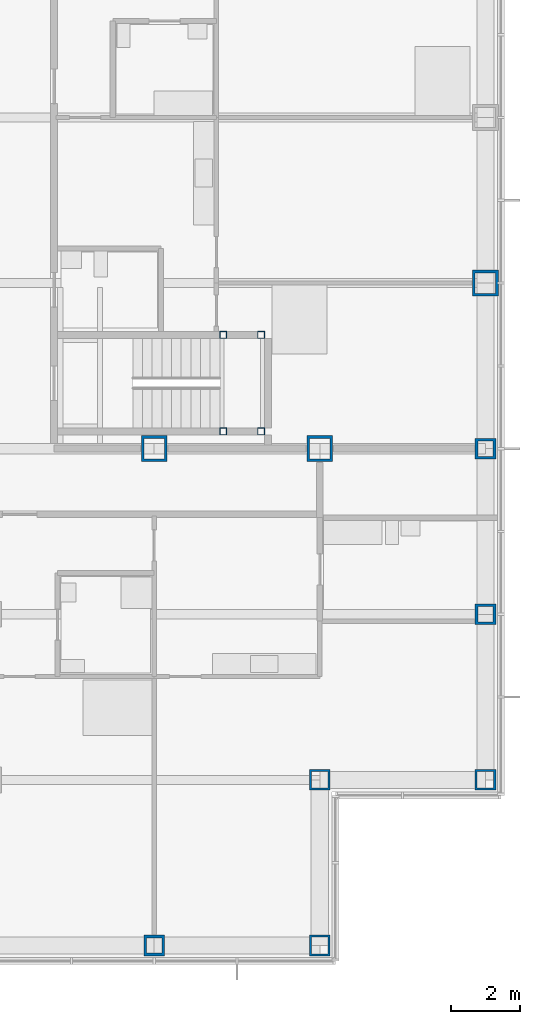
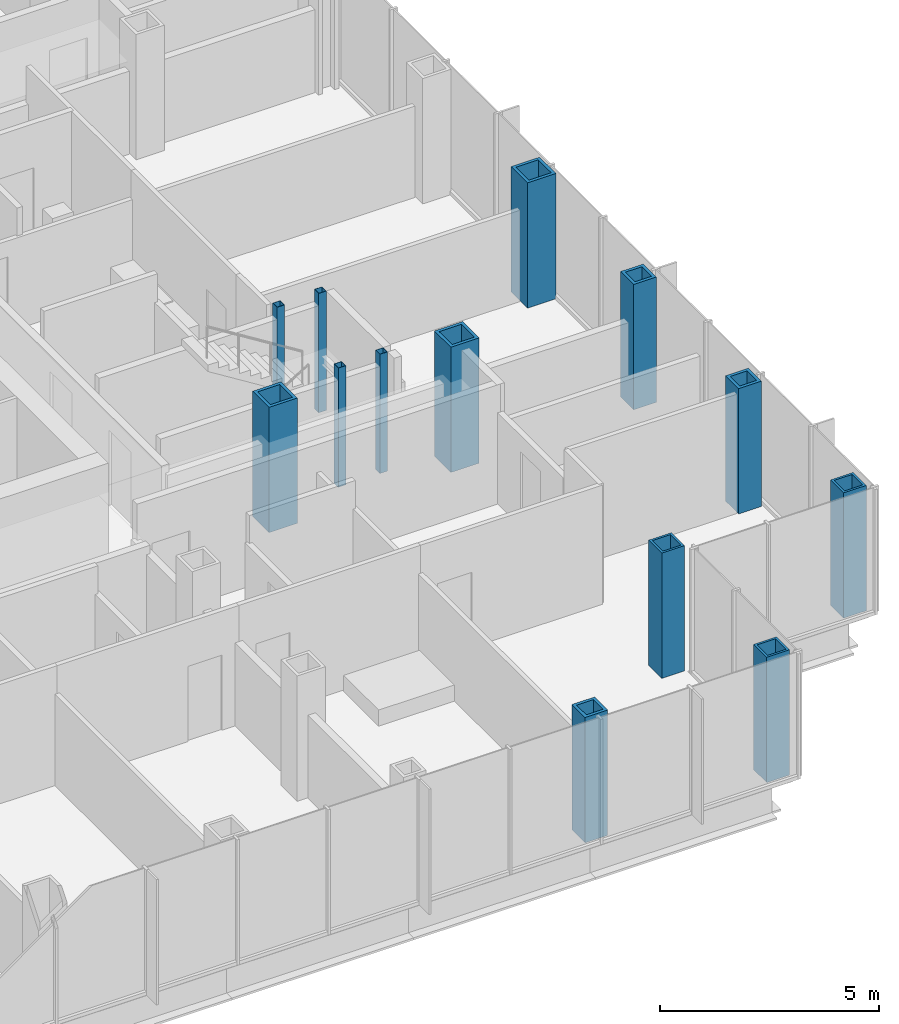
# One storey, part 4 of 21: 13 columns.
"""IFC4 building model written with IfcOpenShell, lengths in metres."""

from ifc_helpers import new_model, si_unit, direction, frame, origin, origin_2d, place, context, subcontext, project, spatial, hollow_rectangle, extrude, material, material_profile, profile_set, type_object, element, save


model = new_model("IFC4")

# Units and contexts
model_context = context("Model", 3, precision=1e-05, world=origin(), true_north=direction((0.0, 1.0)))
body_context = subcontext(model_context, "Body", "Model", "MODEL_VIEW")
ifc_project = project(units=[si_unit("LENGTHUNIT", "METRE"), si_unit("AREAUNIT", "SQUARE_METRE"), si_unit("VOLUMEUNIT", "CUBIC_METRE"), si_unit("PLANEANGLEUNIT", "RADIAN"), si_unit("MASSUNIT", "GRAM", prefix="KILO")], contexts=[model_context])

# Site, building, storey
site_placement = place(None, origin())
site = spatial("IfcSite", under=ifc_project, at=site_placement, CompositionType="ELEMENT")
building_placement = place(site_placement, origin())
building = spatial("IfcBuilding", under=site, at=building_placement, Name="Kvirike Care Tower", CompositionType="ELEMENT")
storey_placement = place(building_placement, frame((0.0, 0.0, 58.5)))
storey = spatial("IfcBuildingStorey", under=building, at=storey_placement, Name="L15", CompositionType="ELEMENT", Elevation=58.5)

# Columns
ifc_material_1 = material(Name="Steel S460", Category="steel")
ifc_material_profile_1 = material_profile(ifc_material_1, hollow_rectangle(XDim=0.60009765625, YDim=0.60009765625, WallThickness=0.06005859375, at=origin_2d()), Name="BX 600x600x60")
ifc_profile_set_1 = profile_set([ifc_material_profile_1], Name="Steel S460")
column_type_1 = type_object("IfcColumnType", Name="COLUMN BX 600x600x60", PredefinedType="COLUMN", material=ifc_profile_set_1)
for number, where, z_axis, x_axis, name in (
    (1, (38.39990234375, 14.39990234375, 0.0), (0.0, 0.0, 1.0), (0.0, 1.0, 0.0), "Column D11 L15"),
    (2, (38.39990234375, 19.199951171875, 0.0), (0.0, 0.0, 1.0), (0.0, 1.0, 0.0), "Column E11 L15"),
    (3, (43.199951171875, 19.199951171875, 0.0), (0.0, 0.0, 1.0), (0.0, 1.0, 0.0), "Column E12 L15"),
):
    element("IfcColumn", number, at=place(storey_placement, frame(where, z_axis=z_axis, x_axis=x_axis)), inside=storey, type_object=column_type_1, Name=name, PredefinedType="COLUMN", context=body_context, shape_type="SweptSolid", body=[
        extrude(hollow_rectangle(XDim=0.60009765625, YDim=0.60009765625, WallThickness=0.06005859375, at=origin_2d()), origin(), (0.0, 0.0, 1.0), 3.5),
    ])
ifc_material_2 = material(Name="Steel S460", Category="steel")
ifc_material_profile_2 = material_profile(ifc_material_2, hollow_rectangle(XDim=0.60009765625, YDim=0.60009765625, WallThickness=0.080078125, at=origin_2d()), Name="BX 600x600x80")
ifc_profile_set_2 = profile_set([ifc_material_profile_2], Name="Steel S460")
column_type_2 = type_object("IfcColumnType", Name="COLUMN BX 600x600x80", PredefinedType="COLUMN", material=ifc_profile_set_2)
for number, where, z_axis, x_axis, name in (
    (4, (33.60009765625, 14.39990234375, 0.0), (0.0, 0.0, 1.0), (0.0, 1.0, 0.0), "Column D10 L15"),
    (5, (43.199951171875, 24.0, 0.0), (0.0, 0.0, 1.0), (1.0, 0.0, 0.0), "Column F12 L15"),
    (6, (43.199951171875, 28.800048828125, 0.0), (0.0, 0.0, 1.0), (0.0, 1.0, 0.0), "Column G12 L15"),
):
    element("IfcColumn", number, at=place(storey_placement, frame(where, z_axis=z_axis, x_axis=x_axis)), inside=storey, type_object=column_type_2, Name=name, PredefinedType="COLUMN", context=body_context, shape_type="SweptSolid", body=[
        extrude(hollow_rectangle(XDim=0.60009765625, YDim=0.60009765625, WallThickness=0.080078125, at=origin_2d()), origin(), (0.0, 0.0, 1.0), 3.5),
    ])
ifc_material_3 = material(Name="Steel S460", Category="steel")
ifc_material_profile_3 = material_profile(ifc_material_3, hollow_rectangle(XDim=0.75, YDim=0.75, WallThickness=0.080078125, at=origin_2d()), Name="BX 750x750x80")
ifc_profile_set_3 = profile_set([ifc_material_profile_3], Name="Steel S460")
column_type_3 = type_object("IfcColumnType", Name="COLUMN BX 750x750x80", PredefinedType="COLUMN", material=ifc_profile_set_3)
for number, where, z_axis, x_axis, name in (
    (7, (33.60009765625, 28.800048828125, 0.0), (0.0, 0.0, 1.0), (0.0, 1.0, 0.0), "Column G10 L15"),
    (8, (38.39990234375, 28.800048828125, 0.0), (0.0, 0.0, 1.0), (0.0, 1.0, 0.0), "Column G11 L15"),
    (9, (43.199951171875, 33.60009765625, 0.0), (0.0, 0.0, 1.0), (1.0, 0.0, 0.0), "Column H12 L15"),
):
    element("IfcColumn", number, at=place(storey_placement, frame(where, z_axis=z_axis, x_axis=x_axis)), inside=storey, type_object=column_type_3, Name=name, PredefinedType="COLUMN", context=body_context, shape_type="SweptSolid", body=[
        extrude(hollow_rectangle(XDim=0.75, YDim=0.75, WallThickness=0.080078125, at=origin_2d()), origin(), (0.0, 0.0, 1.0), 3.5),
    ])
ifc_material_4 = material(Name="Steel S460", Category="steel")
ifc_material_profile_4 = material_profile(ifc_material_4, hollow_rectangle(XDim=0.199951171875, YDim=0.199951171875, WallThickness=0.008056640625, at=origin_2d()), Name="SHS 200x200x8")
ifc_profile_set_4 = profile_set([ifc_material_profile_4], Name="Steel S460")
column_type_4 = type_object("IfcColumnType", Name="STAIR POST SHS 200x200x8", PredefinedType="COLUMN", material=ifc_profile_set_4)
for number, where, z_axis, x_axis, name in (
    (10, (36.699951171875, 29.300048828125, 0.0), (0.0, 0.0, 1.0), (1.0, 0.0, 0.0), "Stair 2 post 1 L15"),
    (11, (36.699951171875, 32.10009765625, 0.0), (0.0, 0.0, 1.0), (1.0, 0.0, 0.0), "Stair 2 post 2 L15"),
    (12, (35.60009765625, 29.300048828125, 0.0), (0.0, 0.0, 1.0), (1.0, 0.0, 0.0), "Stair 2 post 3 L15"),
    (13, (35.60009765625, 32.10009765625, 0.0), (0.0, 0.0, 1.0), (1.0, 0.0, 0.0), "Stair 2 post 4 L15"),
):
    element("IfcColumn", number, at=place(storey_placement, frame(where, z_axis=z_axis, x_axis=x_axis)), inside=storey, type_object=column_type_4, Name=name, PredefinedType="COLUMN", context=body_context, shape_type="SweptSolid", body=[
        extrude(hollow_rectangle(XDim=0.199951171875, YDim=0.199951171875, WallThickness=0.008056640625, at=origin_2d()), origin(), (0.0, 0.0, 1.0), 3.330078125),
    ])

save(model, "model.ifc")
